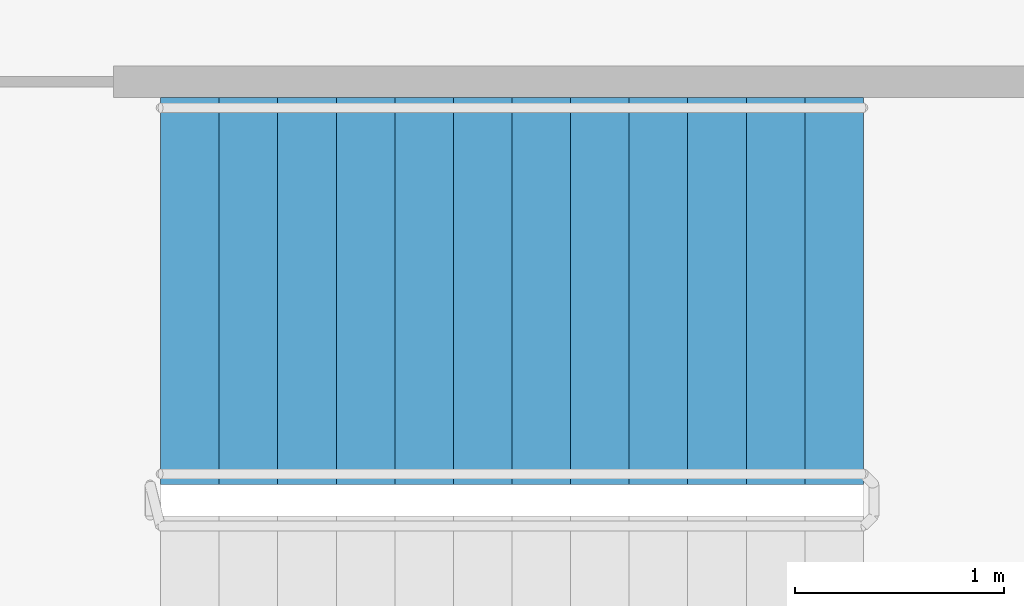
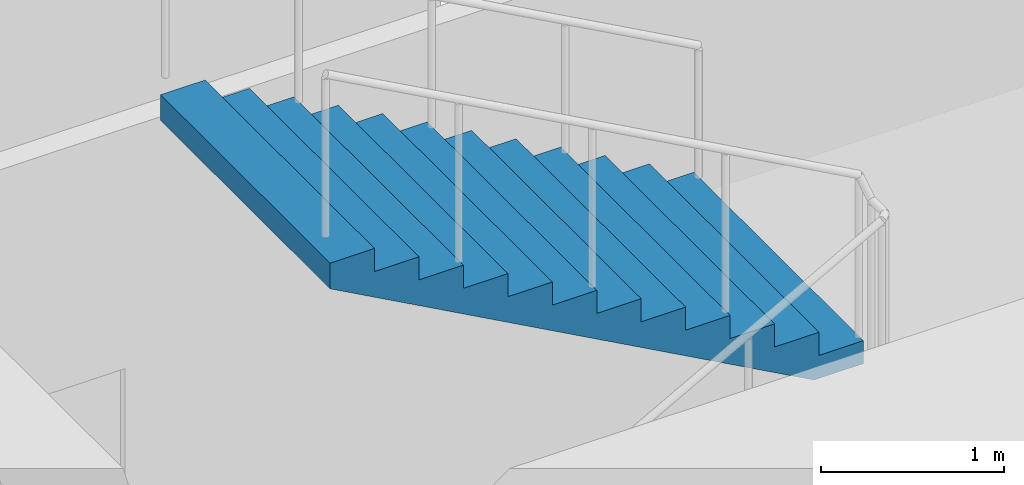
# One storey, part 10 of 12: 1 stair flight, 1 element without a shape of its own.
"""IFC4 building model written with IfcOpenShell, lengths in metres."""

from ifc_helpers import new_model, si_unit, direction, frame, origin, place, context, subcontext, project, spatial, polyline, outline, extrude, material, type_object, element, aggregate, save


model = new_model("IFC4")

# Units and contexts
model_context = context("Model", 3, precision=1e-05, world=origin(), true_north=direction((0.0, 1.0)))
body_context = subcontext(model_context, "Body", "Model", "MODEL_VIEW")
ifc_project = project(units=[si_unit("LENGTHUNIT", "METRE"), si_unit("AREAUNIT", "SQUARE_METRE"), si_unit("VOLUMEUNIT", "CUBIC_METRE"), si_unit("PLANEANGLEUNIT", "RADIAN"), si_unit("MASSUNIT", "GRAM", prefix="KILO")], contexts=[model_context])

# Site, building, storey
site_placement = place(None, origin())
site = spatial("IfcSite", under=ifc_project, at=site_placement, CompositionType="ELEMENT")
building_placement = place(site_placement, origin())
building = spatial("IfcBuilding", under=site, at=building_placement, Name="Zellij Exchange Tower", CompositionType="ELEMENT")
storey_placement = place(building_placement, frame((0.0, 0.0, 96.5)))
storey = spatial("IfcBuildingStorey", under=building, at=storey_placement, Name="L20", CompositionType="ELEMENT", Elevation=96.5)

# Stair, stair flight
ifc_material = material(Name="Concrete C40/50", Category="concrete")
stair_type = type_object("IfcStairType", Name="CORE-ST exit stair 1850 wide", PredefinedType="HALF_TURN_STAIR", material=ifc_material)
stair_placement = place(storey_placement, origin())
stair = element("IfcStair", 1, at=stair_placement, inside=storey, type_object=stair_type, Name="L20 exit stair ST4", PredefinedType="HALF_TURN_STAIR")
stair_flight_type = type_object("IfcStairFlightType", Name="CORE-SF flight 1850 riser 153.8 going 280", PredefinedType="STRAIGHT", material=ifc_material)
stair_flight_placement = place(storey_placement, frame((23.510009765625, -9.875, 2.0), z_axis=(0.0, 0.0, 1.0), x_axis=(-1.0, 0.0, 0.0)))
stair_flight = element("IfcStairFlight", 2, at=stair_flight_placement, type_object=stair_flight_type, Name="ST4 flight 2", NumberOfRisers=13, NumberOfTreads=12, PredefinedType="STRAIGHT", RiserHeight=0.153846154, TreadLength=0.28, context=body_context, shape_type="SweptSolid", body=[
    extrude(outline(polyline([(0.0, 0.0), (0.0, 0.15380859375), (0.280029296875, 0.15380859375), (0.280029296875, 0.3076171875), (0.56005859375, 0.3076171875), (0.56005859375, 0.46142578125), (0.840087890625, 0.46142578125), (0.840087890625, 0.615478515625), (1.1201171875, 0.615478515625), (1.1201171875, 0.769287109375), (1.39990234375, 0.769287109375), (1.39990234375, 0.923095703125), (1.679931640625, 0.923095703125), (1.679931640625, 1.076904296875), (1.9599609375, 1.076904296875), (1.9599609375, 1.230712890625), (2.239990234375, 1.230712890625), (2.239990234375, 1.384521484375), (2.52001953125, 1.384521484375), (2.52001953125, 1.53857421875), (2.800048828125, 1.53857421875), (2.800048828125, 1.6923828125), (3.080078125, 1.6923828125), (3.080078125, 1.84619140625), (3.360107421875, 1.84619140625), (3.360107421875, 2.0), (3.360107421875, 1.675048828125), (0.311279296875, 0.0), (0.0, 0.0)])), frame((0.0, 0.925048828125, 0.0), z_axis=(0.0, -1.0, 0.0), x_axis=(1.0, 0.0, 0.0)), (0.0, 0.0, 1.0), 1.85009765625),
])
aggregate(stair, [stair_flight])

save(model, "model.ifc")
